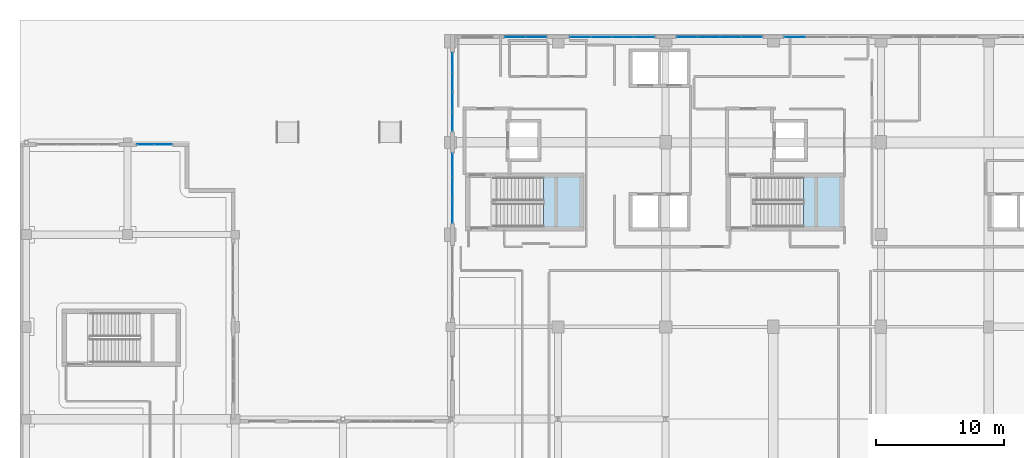
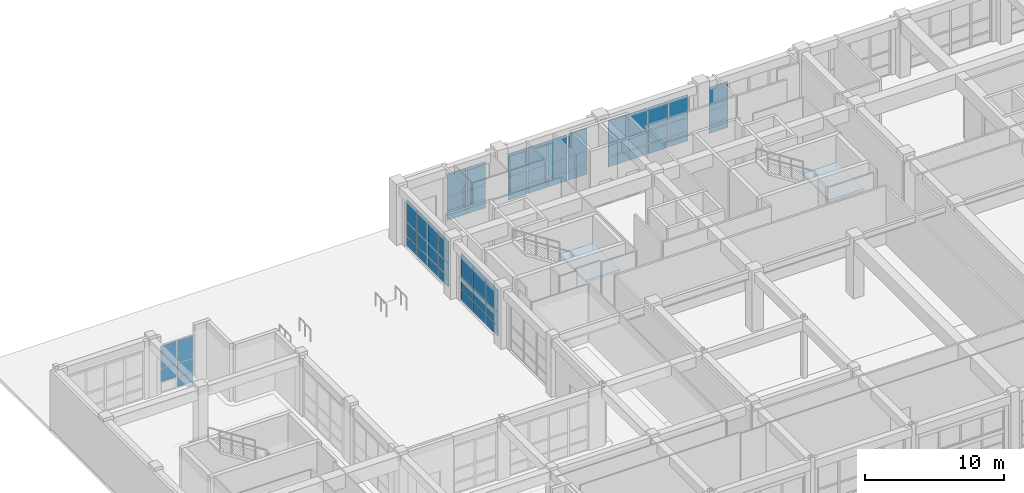
# One storey, part 115 of 148: 59 plates, 2 slabs, 9 elements without a shape of their own.
"""IFC4 building model written with IfcOpenShell, lengths in metres."""

from ifc_helpers import new_model, si_unit, direction, frame, origin, origin_2d, place, context, subcontext, project, spatial, polyline, rectangle, outline, extrude, material, layer, layer_set, type_object, element, aggregate, save


model = new_model("IFC4")

# Units and contexts
model_context = context("Model", 3, precision=1e-05, world=origin(), true_north=direction((0.0, 1.0)))
body_context = subcontext(model_context, "Body", "Model", "MODEL_VIEW")
ifc_project = project(units=[si_unit("LENGTHUNIT", "METRE"), si_unit("AREAUNIT", "SQUARE_METRE"), si_unit("VOLUMEUNIT", "CUBIC_METRE"), si_unit("PLANEANGLEUNIT", "RADIAN"), si_unit("MASSUNIT", "GRAM", prefix="KILO")], contexts=[model_context])

# Site, building, storey
site_placement = place(None, origin())
site = spatial("IfcSite", under=ifc_project, at=site_placement, CompositionType="ELEMENT")
building_placement = place(site_placement, origin())
building = spatial("IfcBuilding", under=site, at=building_placement, Name="Quendrovan Civic Courthouse", CompositionType="ELEMENT")
storey_placement = place(building_placement, origin())
storey = spatial("IfcBuildingStorey", under=building, at=storey_placement, Name="L01", CompositionType="ELEMENT", Elevation=0.0)

# Curtain wall, plates
ifc_material_1 = material(Name="Bronze anodised aluminium and low-E glass", Category="aluminium")
ifc_layer_1 = layer(ifc_material_1, 0.179931640625, Name="Bronze anodised aluminium and low-E glass")
ifc_layer_set_1 = layer_set([ifc_layer_1], Name="Bronze anodised aluminium and low-E glass")
curtain_wall_type_1 = type_object("IfcCurtainWallType", Name="CW-U62x42", PredefinedType="USERDEFINED", material=ifc_layer_set_1)
curtain_wall_1_placement = place(storey_placement, origin())
curtain_wall_1 = element("IfcCurtainWall", 1, at=curtain_wall_1_placement, inside=storey, type_object=curtain_wall_type_1, Name="L01 Unitised Hurricane Curtain Wall CW-024", ObjectType="UNITISED CURTAIN WALL", PredefinedType="USERDEFINED")
ifc_material_2 = material(Name="Laminated hurricane-impact low-E glass", Category="glass")
ifc_layer_2 = layer(ifc_material_2, 0.028076171875, Name="Laminated hurricane-impact low-E glass")
ifc_layer_set_2 = layer_set([ifc_layer_2], Name="Laminated hurricane-impact low-E glass")
plate_type_1 = type_object("IfcPlateType", Name="CW-PNL-1", PredefinedType="CURTAIN_PANEL", material=ifc_layer_set_2)
plate_1_placement = place(storey_placement, frame((33.764892578125, 103.617431640625, 0.06982421875), z_axis=(0.0, 0.0, 1.0), x_axis=(0.0, 1.0, 0.0)))
plate_1 = element("IfcPlate", 2, at=plate_1_placement, type_object=plate_type_1, Name="CW-024 panel 1.1", PredefinedType="CURTAIN_PANEL", context=body_context, shape_type="SweptSolid", body=[
    extrude(rectangle(XDim=1.445068359375, YDim=0.028076171875, at=origin_2d()), origin(), (0.0, 0.0, 1.0), 0.844970703125),
])
plate_2_placement = place(storey_placement, frame((33.764892578125, 103.617431640625, 0.985107421875), z_axis=(0.0, 0.0, 1.0), x_axis=(0.0, 1.0, 0.0)))
plate_2 = element("IfcPlate", 3, at=plate_2_placement, type_object=plate_type_1, Name="CW-024 panel 1.2", PredefinedType="CURTAIN_PANEL", context=body_context, shape_type="SweptSolid", body=[
    extrude(rectangle(XDim=1.445068359375, YDim=0.028076171875, at=origin_2d()), origin(), (0.0, 0.0, 1.0), 1.1298828125),
])
plate_3_placement = place(storey_placement, frame((33.764892578125, 103.617431640625, 2.18505859375), z_axis=(0.0, 0.0, 1.0), x_axis=(0.0, 1.0, 0.0)))
plate_3 = element("IfcPlate", 4, at=plate_3_placement, type_object=plate_type_1, Name="CW-024 panel 1.3", PredefinedType="CURTAIN_PANEL", context=body_context, shape_type="SweptSolid", body=[
    extrude(rectangle(XDim=1.445068359375, YDim=0.028076171875, at=origin_2d()), origin(), (0.0, 0.0, 1.0), 1.945068359375),
])
plate_4_placement = place(storey_placement, frame((33.764892578125, 105.14990234375, 0.06982421875), z_axis=(0.0, 0.0, 1.0), x_axis=(0.0, 1.0, 0.0)))
plate_4 = element("IfcPlate", 5, at=plate_4_placement, type_object=plate_type_1, Name="CW-024 panel 2.1", PredefinedType="CURTAIN_PANEL", context=body_context, shape_type="SweptSolid", body=[
    extrude(rectangle(XDim=1.47998046875, YDim=0.028076171875, at=origin_2d()), origin(), (0.0, 0.0, 1.0), 0.844970703125),
])
plate_5_placement = place(storey_placement, frame((33.764892578125, 105.14990234375, 0.985107421875), z_axis=(0.0, 0.0, 1.0), x_axis=(0.0, 1.0, 0.0)))
plate_5 = element("IfcPlate", 6, at=plate_5_placement, type_object=plate_type_1, Name="CW-024 panel 2.2", PredefinedType="CURTAIN_PANEL", context=body_context, shape_type="SweptSolid", body=[
    extrude(rectangle(XDim=1.47998046875, YDim=0.028076171875, at=origin_2d()), origin(), (0.0, 0.0, 1.0), 1.1298828125),
])
plate_6_placement = place(storey_placement, frame((33.764892578125, 105.14990234375, 2.18505859375), z_axis=(0.0, 0.0, 1.0), x_axis=(0.0, 1.0, 0.0)))
plate_6 = element("IfcPlate", 7, at=plate_6_placement, type_object=plate_type_1, Name="CW-024 panel 2.3", PredefinedType="CURTAIN_PANEL", context=body_context, shape_type="SweptSolid", body=[
    extrude(rectangle(XDim=1.47998046875, YDim=0.028076171875, at=origin_2d()), origin(), (0.0, 0.0, 1.0), 1.945068359375),
])
plate_7_placement = place(storey_placement, frame((33.764892578125, 106.699951171875, 0.06982421875), z_axis=(0.0, 0.0, 1.0), x_axis=(0.0, 1.0, 0.0)))
plate_7 = element("IfcPlate", 8, at=plate_7_placement, type_object=plate_type_1, Name="CW-024 panel 3.1", PredefinedType="CURTAIN_PANEL", context=body_context, shape_type="SweptSolid", body=[
    extrude(rectangle(XDim=1.47998046875, YDim=0.028076171875, at=origin_2d()), origin(), (0.0, 0.0, 1.0), 0.844970703125),
])
plate_8_placement = place(storey_placement, frame((33.764892578125, 106.699951171875, 0.985107421875), z_axis=(0.0, 0.0, 1.0), x_axis=(0.0, 1.0, 0.0)))
plate_8 = element("IfcPlate", 9, at=plate_8_placement, type_object=plate_type_1, Name="CW-024 panel 3.2", PredefinedType="CURTAIN_PANEL", context=body_context, shape_type="SweptSolid", body=[
    extrude(rectangle(XDim=1.47998046875, YDim=0.028076171875, at=origin_2d()), origin(), (0.0, 0.0, 1.0), 1.1298828125),
])
plate_9_placement = place(storey_placement, frame((33.764892578125, 106.699951171875, 2.18505859375), z_axis=(0.0, 0.0, 1.0), x_axis=(0.0, 1.0, 0.0)))
plate_9 = element("IfcPlate", 10, at=plate_9_placement, type_object=plate_type_1, Name="CW-024 panel 3.3", PredefinedType="CURTAIN_PANEL", context=body_context, shape_type="SweptSolid", body=[
    extrude(rectangle(XDim=1.47998046875, YDim=0.028076171875, at=origin_2d()), origin(), (0.0, 0.0, 1.0), 1.945068359375),
])
plate_10_placement = place(storey_placement, frame((33.764892578125, 108.232421875, 0.06982421875), z_axis=(0.0, 0.0, 1.0), x_axis=(0.0, 1.0, 0.0)))
plate_10 = element("IfcPlate", 11, at=plate_10_placement, type_object=plate_type_1, Name="CW-024 panel 4.1", PredefinedType="CURTAIN_PANEL", context=body_context, shape_type="SweptSolid", body=[
    extrude(rectangle(XDim=1.445068359375, YDim=0.028076171875, at=origin_2d()), origin(), (0.0, 0.0, 1.0), 0.844970703125),
])
plate_11_placement = place(storey_placement, frame((33.764892578125, 108.232421875, 0.985107421875), z_axis=(0.0, 0.0, 1.0), x_axis=(0.0, 1.0, 0.0)))
plate_11 = element("IfcPlate", 12, at=plate_11_placement, type_object=plate_type_1, Name="CW-024 panel 4.2", PredefinedType="CURTAIN_PANEL", context=body_context, shape_type="SweptSolid", body=[
    extrude(rectangle(XDim=1.445068359375, YDim=0.028076171875, at=origin_2d()), origin(), (0.0, 0.0, 1.0), 1.1298828125),
])
plate_12_placement = place(storey_placement, frame((33.764892578125, 108.232421875, 2.18505859375), z_axis=(0.0, 0.0, 1.0), x_axis=(0.0, 1.0, 0.0)))
plate_12 = element("IfcPlate", 13, at=plate_12_placement, type_object=plate_type_1, Name="CW-024 panel 4.3", PredefinedType="CURTAIN_PANEL", context=body_context, shape_type="SweptSolid", body=[
    extrude(rectangle(XDim=1.445068359375, YDim=0.028076171875, at=origin_2d()), origin(), (0.0, 0.0, 1.0), 1.945068359375),
])
aggregate(curtain_wall_1, [plate_1, plate_2, plate_3, plate_4, plate_5, plate_6, plate_7, plate_8, plate_9, plate_10, plate_11, plate_12])

ifc_layer_3 = layer(ifc_material_1, 0.179931640625, Name="Bronze anodised aluminium and low-E glass")
ifc_layer_set_3 = layer_set([ifc_layer_3], Name="Bronze anodised aluminium and low-E glass")
curtain_wall_type_2 = type_object("IfcCurtainWallType", Name="CW-U68x42", PredefinedType="USERDEFINED", material=ifc_layer_set_3)
curtain_wall_2_placement = place(storey_placement, origin())
curtain_wall_2 = element("IfcCurtainWall", 14, at=curtain_wall_2_placement, inside=storey, type_object=curtain_wall_type_2, Name="L01 Unitised Hurricane Curtain Wall CW-028", ObjectType="UNITISED CURTAIN WALL", PredefinedType="USERDEFINED")
plate_13_placement = place(storey_placement, frame((60.486328125, 110.235107421875, 0.06982421875), z_axis=(0.0, 0.0, 1.0), x_axis=(1.0, 0.0, 0.0)))
plate_13 = element("IfcPlate", 15, at=plate_13_placement, type_object=plate_type_1, Name="CW-028 panel 1.1", PredefinedType="CURTAIN_PANEL", context=body_context, shape_type="SweptSolid", body=[
    extrude(rectangle(XDim=1.58251953125, YDim=0.028076171875, at=origin_2d()), origin(), (0.0, 0.0, 1.0), 0.844970703125),
])
plate_14_placement = place(storey_placement, frame((60.486328125, 110.235107421875, 0.985107421875), z_axis=(0.0, 0.0, 1.0), x_axis=(1.0, 0.0, 0.0)))
plate_14 = element("IfcPlate", 16, at=plate_14_placement, type_object=plate_type_1, Name="CW-028 panel 1.2", PredefinedType="CURTAIN_PANEL", context=body_context, shape_type="SweptSolid", body=[
    extrude(rectangle(XDim=1.58251953125, YDim=0.028076171875, at=origin_2d()), origin(), (0.0, 0.0, 1.0), 1.1298828125),
])
plate_15_placement = place(storey_placement, frame((60.486328125, 110.235107421875, 2.18505859375), z_axis=(0.0, 0.0, 1.0), x_axis=(1.0, 0.0, 0.0)))
plate_15 = element("IfcPlate", 17, at=plate_15_placement, type_object=plate_type_1, Name="CW-028 panel 1.3", PredefinedType="CURTAIN_PANEL", context=body_context, shape_type="SweptSolid", body=[
    extrude(rectangle(XDim=1.58251953125, YDim=0.028076171875, at=origin_2d()), origin(), (0.0, 0.0, 1.0), 1.945068359375),
])
aggregate(curtain_wall_2, [plate_13, plate_14, plate_15])

ifc_layer_4 = layer(ifc_material_1, 0.179931640625, Name="Bronze anodised aluminium and low-E glass")
ifc_layer_set_4 = layer_set([ifc_layer_4], Name="Bronze anodised aluminium and low-E glass")
curtain_wall_type_3 = type_object("IfcCurtainWallType", Name="CW-U28x42", PredefinedType="USERDEFINED", material=ifc_layer_set_4)
curtain_wall_3_placement = place(storey_placement, origin())
curtain_wall_3 = element("IfcCurtainWall", 18, at=curtain_wall_3_placement, inside=storey, type_object=curtain_wall_type_3, Name="L01 Unitised Hurricane Curtain Wall CW-017", ObjectType="UNITISED CURTAIN WALL", PredefinedType="USERDEFINED")
ifc_layer_5 = layer(ifc_material_2, 0.031982421875, Name="Laminated hurricane-impact low-E glass")
ifc_layer_set_5 = layer_set([ifc_layer_5], Name="Laminated hurricane-impact low-E glass")
plate_type_2 = type_object("IfcPlateType", Name="CW-PNL-2", PredefinedType="CURTAIN_PANEL", material=ifc_layer_set_5)
plate_16_placement = place(storey_placement, frame((9.797607421875, 101.8349609375, 0.982421875), z_axis=(0.0, 0.0, 1.0), x_axis=(1.0, 0.0, 0.0)))
plate_16 = element("IfcPlate", 19, at=plate_16_placement, type_object=plate_type_2, Name="CW-017 panel 1.2", PredefinedType="CURTAIN_PANEL", context=body_context, shape_type="SweptSolid", body=[
    extrude(rectangle(XDim=1.31494140625, YDim=0.031982421875, at=origin_2d()), origin(), (0.0, 0.0, 1.0), 1.135009765625),
])
plate_17_placement = place(storey_placement, frame((9.797607421875, 101.8349609375, 2.1826171875), z_axis=(0.0, 0.0, 1.0), x_axis=(1.0, 0.0, 0.0)))
plate_17 = element("IfcPlate", 20, at=plate_17_placement, type_object=plate_type_2, Name="CW-017 panel 1.3", PredefinedType="CURTAIN_PANEL", context=body_context, shape_type="SweptSolid", body=[
    extrude(rectangle(XDim=1.31494140625, YDim=0.031982421875, at=origin_2d()), origin(), (0.0, 0.0, 1.0), 1.952392578125),
])
plate_18_placement = place(storey_placement, frame((11.177490234375, 101.8349609375, 0.06494140625), z_axis=(0.0, 0.0, 1.0), x_axis=(1.0, 0.0, 0.0)))
plate_18 = element("IfcPlate", 21, at=plate_18_placement, type_object=plate_type_2, Name="CW-017 panel 2.1", PredefinedType="CURTAIN_PANEL", context=body_context, shape_type="SweptSolid", body=[
    extrude(rectangle(XDim=1.31494140625, YDim=0.031982421875, at=origin_2d()), origin(), (0.0, 0.0, 1.0), 0.8525390625),
])
plate_19_placement = place(storey_placement, frame((11.177490234375, 101.8349609375, 0.982421875), z_axis=(0.0, 0.0, 1.0), x_axis=(1.0, 0.0, 0.0)))
plate_19 = element("IfcPlate", 22, at=plate_19_placement, type_object=plate_type_2, Name="CW-017 panel 2.2", PredefinedType="CURTAIN_PANEL", context=body_context, shape_type="SweptSolid", body=[
    extrude(rectangle(XDim=1.31494140625, YDim=0.031982421875, at=origin_2d()), origin(), (0.0, 0.0, 1.0), 1.135009765625),
])
plate_20_placement = place(storey_placement, frame((11.177490234375, 101.8349609375, 2.1826171875), z_axis=(0.0, 0.0, 1.0), x_axis=(1.0, 0.0, 0.0)))
plate_20 = element("IfcPlate", 23, at=plate_20_placement, type_object=plate_type_2, Name="CW-017 panel 2.3", PredefinedType="CURTAIN_PANEL", context=body_context, shape_type="SweptSolid", body=[
    extrude(rectangle(XDim=1.31494140625, YDim=0.031982421875, at=origin_2d()), origin(), (0.0, 0.0, 1.0), 1.952392578125),
])
aggregate(curtain_wall_3, [plate_16, plate_17, plate_18, plate_19, plate_20])

ifc_layer_6 = layer(ifc_material_1, 0.179931640625, Name="Bronze anodised aluminium and low-E glass")
ifc_layer_set_6 = layer_set([ifc_layer_6], Name="Bronze anodised aluminium and low-E glass")
curtain_wall_type_4 = type_object("IfcCurtainWallType", Name="CW-U33x42", PredefinedType="USERDEFINED", material=ifc_layer_set_6)
curtain_wall_4_placement = place(storey_placement, origin())
curtain_wall_4 = element("IfcCurtainWall", 24, at=curtain_wall_4_placement, inside=storey, type_object=curtain_wall_type_4, Name="L01 Unitised Hurricane Curtain Wall CW-025", ObjectType="UNITISED CURTAIN WALL", PredefinedType="USERDEFINED")
plate_21_placement = place(storey_placement, frame((38.6474609375, 110.235107421875, 0.06494140625), z_axis=(0.0, 0.0, 1.0), x_axis=(1.0, 0.0, 0.0)))
plate_21 = element("IfcPlate", 25, at=plate_21_placement, type_object=plate_type_2, Name="CW-025 panel 1.1", PredefinedType="CURTAIN_PANEL", context=body_context, shape_type="SweptSolid", body=[
    extrude(rectangle(XDim=1.56494140625, YDim=0.031982421875, at=origin_2d()), origin(), (0.0, 0.0, 1.0), 0.8525390625),
])
plate_22_placement = place(storey_placement, frame((38.6474609375, 110.235107421875, 0.982421875), z_axis=(0.0, 0.0, 1.0), x_axis=(1.0, 0.0, 0.0)))
plate_22 = element("IfcPlate", 26, at=plate_22_placement, type_object=plate_type_2, Name="CW-025 panel 1.2", PredefinedType="CURTAIN_PANEL", context=body_context, shape_type="SweptSolid", body=[
    extrude(rectangle(XDim=1.56494140625, YDim=0.031982421875, at=origin_2d()), origin(), (0.0, 0.0, 1.0), 1.135009765625),
])
plate_23_placement = place(storey_placement, frame((38.6474609375, 110.235107421875, 2.1826171875), z_axis=(0.0, 0.0, 1.0), x_axis=(1.0, 0.0, 0.0)))
plate_23 = element("IfcPlate", 27, at=plate_23_placement, type_object=plate_type_2, Name="CW-025 panel 1.3", PredefinedType="CURTAIN_PANEL", context=body_context, shape_type="SweptSolid", body=[
    extrude(rectangle(XDim=1.56494140625, YDim=0.031982421875, at=origin_2d()), origin(), (0.0, 0.0, 1.0), 1.952392578125),
])
plate_24_placement = place(storey_placement, frame((40.277587890625, 110.235107421875, 0.06494140625), z_axis=(0.0, 0.0, 1.0), x_axis=(1.0, 0.0, 0.0)))
plate_24 = element("IfcPlate", 28, at=plate_24_placement, type_object=plate_type_2, Name="CW-025 panel 2.1", PredefinedType="CURTAIN_PANEL", context=body_context, shape_type="SweptSolid", body=[
    extrude(rectangle(XDim=1.56494140625, YDim=0.031982421875, at=origin_2d()), origin(), (0.0, 0.0, 1.0), 0.8525390625),
])
plate_25_placement = place(storey_placement, frame((40.277587890625, 110.235107421875, 0.982421875), z_axis=(0.0, 0.0, 1.0), x_axis=(1.0, 0.0, 0.0)))
plate_25 = element("IfcPlate", 29, at=plate_25_placement, type_object=plate_type_2, Name="CW-025 panel 2.2", PredefinedType="CURTAIN_PANEL", context=body_context, shape_type="SweptSolid", body=[
    extrude(rectangle(XDim=1.56494140625, YDim=0.031982421875, at=origin_2d()), origin(), (0.0, 0.0, 1.0), 1.135009765625),
])
plate_26_placement = place(storey_placement, frame((40.277587890625, 110.235107421875, 2.1826171875), z_axis=(0.0, 0.0, 1.0), x_axis=(1.0, 0.0, 0.0)))
plate_26 = element("IfcPlate", 30, at=plate_26_placement, type_object=plate_type_2, Name="CW-025 panel 2.3", PredefinedType="CURTAIN_PANEL", context=body_context, shape_type="SweptSolid", body=[
    extrude(rectangle(XDim=1.56494140625, YDim=0.031982421875, at=origin_2d()), origin(), (0.0, 0.0, 1.0), 1.952392578125),
])
aggregate(curtain_wall_4, [plate_21, plate_22, plate_23, plate_24, plate_25, plate_26])

ifc_layer_7 = layer(ifc_material_1, 0.179931640625, Name="Bronze anodised aluminium and low-E glass")
ifc_layer_set_7 = layer_set([ifc_layer_7], Name="Bronze anodised aluminium and low-E glass")
curtain_wall_type_5 = type_object("IfcCurtainWallType", Name="CW-U67x42", PredefinedType="USERDEFINED", material=ifc_layer_set_7)
curtain_wall_5_placement = place(storey_placement, origin())
curtain_wall_5 = element("IfcCurtainWall", 31, at=curtain_wall_5_placement, inside=storey, type_object=curtain_wall_type_5, Name="L01 Unitised Hurricane Curtain Wall CW-026", ObjectType="UNITISED CURTAIN WALL", PredefinedType="USERDEFINED")
ifc_layer_8 = layer(ifc_material_2, 0.035888671875, Name="Laminated hurricane-impact low-E glass")
ifc_layer_set_8 = layer_set([ifc_layer_8], Name="Laminated hurricane-impact low-E glass")
plate_type_3 = type_object("IfcPlateType", Name="CW-PNL-3", PredefinedType="CURTAIN_PANEL", material=ifc_layer_set_8)
plate_27_placement = place(storey_placement, frame((43.72998046875, 110.235107421875, 0.06982421875), z_axis=(0.0, 0.0, 1.0), x_axis=(1.0, 0.0, 0.0)))
plate_27 = element("IfcPlate", 32, at=plate_27_placement, type_object=plate_type_3, Name="CW-026 panel 1.1", PredefinedType="CURTAIN_PANEL", context=body_context, shape_type="SweptSolid", body=[
    extrude(rectangle(XDim=1.570068359375, YDim=0.035888671875, at=origin_2d()), origin(), (0.0, 0.0, 1.0), 0.844970703125),
])
plate_28_placement = place(storey_placement, frame((43.72998046875, 110.235107421875, 0.985107421875), z_axis=(0.0, 0.0, 1.0), x_axis=(1.0, 0.0, 0.0)))
plate_28 = element("IfcPlate", 33, at=plate_28_placement, type_object=plate_type_3, Name="CW-026 panel 1.2", PredefinedType="CURTAIN_PANEL", context=body_context, shape_type="SweptSolid", body=[
    extrude(rectangle(XDim=1.570068359375, YDim=0.035888671875, at=origin_2d()), origin(), (0.0, 0.0, 1.0), 1.1298828125),
])
plate_29_placement = place(storey_placement, frame((43.72998046875, 110.235107421875, 2.18505859375), z_axis=(0.0, 0.0, 1.0), x_axis=(1.0, 0.0, 0.0)))
plate_29 = element("IfcPlate", 34, at=plate_29_placement, type_object=plate_type_3, Name="CW-026 panel 1.3", PredefinedType="CURTAIN_PANEL", context=body_context, shape_type="SweptSolid", body=[
    extrude(rectangle(XDim=1.570068359375, YDim=0.035888671875, at=origin_2d()), origin(), (0.0, 0.0, 1.0), 1.945068359375),
])
plate_30_placement = place(storey_placement, frame((45.387451171875, 110.235107421875, 0.06982421875), z_axis=(0.0, 0.0, 1.0), x_axis=(1.0, 0.0, 0.0)))
plate_30 = element("IfcPlate", 35, at=plate_30_placement, type_object=plate_type_3, Name="CW-026 panel 2.1", PredefinedType="CURTAIN_PANEL", context=body_context, shape_type="SweptSolid", body=[
    extrude(rectangle(XDim=1.60498046875, YDim=0.035888671875, at=origin_2d()), origin(), (0.0, 0.0, 1.0), 0.844970703125),
])
plate_31_placement = place(storey_placement, frame((45.387451171875, 110.235107421875, 0.985107421875), z_axis=(0.0, 0.0, 1.0), x_axis=(1.0, 0.0, 0.0)))
plate_31 = element("IfcPlate", 36, at=plate_31_placement, type_object=plate_type_3, Name="CW-026 panel 2.2", PredefinedType="CURTAIN_PANEL", context=body_context, shape_type="SweptSolid", body=[
    extrude(rectangle(XDim=1.60498046875, YDim=0.035888671875, at=origin_2d()), origin(), (0.0, 0.0, 1.0), 1.1298828125),
])
plate_32_placement = place(storey_placement, frame((45.387451171875, 110.235107421875, 2.18505859375), z_axis=(0.0, 0.0, 1.0), x_axis=(1.0, 0.0, 0.0)))
plate_32 = element("IfcPlate", 37, at=plate_32_placement, type_object=plate_type_3, Name="CW-026 panel 2.3", PredefinedType="CURTAIN_PANEL", context=body_context, shape_type="SweptSolid", body=[
    extrude(rectangle(XDim=1.60498046875, YDim=0.035888671875, at=origin_2d()), origin(), (0.0, 0.0, 1.0), 1.945068359375),
])
plate_33_placement = place(storey_placement, frame((47.0625, 110.235107421875, 0.06982421875), z_axis=(0.0, 0.0, 1.0), x_axis=(1.0, 0.0, 0.0)))
plate_33 = element("IfcPlate", 38, at=plate_33_placement, type_object=plate_type_3, Name="CW-026 panel 3.1", PredefinedType="CURTAIN_PANEL", context=body_context, shape_type="SweptSolid", body=[
    extrude(rectangle(XDim=1.60498046875, YDim=0.035888671875, at=origin_2d()), origin(), (0.0, 0.0, 1.0), 0.844970703125),
])
plate_34_placement = place(storey_placement, frame((47.0625, 110.235107421875, 0.985107421875), z_axis=(0.0, 0.0, 1.0), x_axis=(1.0, 0.0, 0.0)))
plate_34 = element("IfcPlate", 39, at=plate_34_placement, type_object=plate_type_3, Name="CW-026 panel 3.2", PredefinedType="CURTAIN_PANEL", context=body_context, shape_type="SweptSolid", body=[
    extrude(rectangle(XDim=1.60498046875, YDim=0.035888671875, at=origin_2d()), origin(), (0.0, 0.0, 1.0), 1.1298828125),
])
plate_35_placement = place(storey_placement, frame((47.0625, 110.235107421875, 2.18505859375), z_axis=(0.0, 0.0, 1.0), x_axis=(1.0, 0.0, 0.0)))
plate_35 = element("IfcPlate", 40, at=plate_35_placement, type_object=plate_type_3, Name="CW-026 panel 3.3", PredefinedType="CURTAIN_PANEL", context=body_context, shape_type="SweptSolid", body=[
    extrude(rectangle(XDim=1.60498046875, YDim=0.035888671875, at=origin_2d()), origin(), (0.0, 0.0, 1.0), 1.945068359375),
])
plate_36_placement = place(storey_placement, frame((48.719970703125, 110.235107421875, 0.06982421875), z_axis=(0.0, 0.0, 1.0), x_axis=(1.0, 0.0, 0.0)))
plate_36 = element("IfcPlate", 41, at=plate_36_placement, type_object=plate_type_3, Name="CW-026 panel 4.1", PredefinedType="CURTAIN_PANEL", context=body_context, shape_type="SweptSolid", body=[
    extrude(rectangle(XDim=1.570068359375, YDim=0.035888671875, at=origin_2d()), origin(), (0.0, 0.0, 1.0), 0.844970703125),
])
plate_37_placement = place(storey_placement, frame((48.719970703125, 110.235107421875, 0.985107421875), z_axis=(0.0, 0.0, 1.0), x_axis=(1.0, 0.0, 0.0)))
plate_37 = element("IfcPlate", 42, at=plate_37_placement, type_object=plate_type_3, Name="CW-026 panel 4.2", PredefinedType="CURTAIN_PANEL", context=body_context, shape_type="SweptSolid", body=[
    extrude(rectangle(XDim=1.570068359375, YDim=0.035888671875, at=origin_2d()), origin(), (0.0, 0.0, 1.0), 1.1298828125),
])
plate_38_placement = place(storey_placement, frame((48.719970703125, 110.235107421875, 2.18505859375), z_axis=(0.0, 0.0, 1.0), x_axis=(1.0, 0.0, 0.0)))
plate_38 = element("IfcPlate", 43, at=plate_38_placement, type_object=plate_type_3, Name="CW-026 panel 4.3", PredefinedType="CURTAIN_PANEL", context=body_context, shape_type="SweptSolid", body=[
    extrude(rectangle(XDim=1.570068359375, YDim=0.035888671875, at=origin_2d()), origin(), (0.0, 0.0, 1.0), 1.945068359375),
])
aggregate(curtain_wall_5, [plate_27, plate_28, plate_29, plate_30, plate_31, plate_32, plate_33, plate_34, plate_35, plate_36, plate_37, plate_38])

ifc_layer_9 = layer(ifc_material_1, 0.179931640625, Name="Bronze anodised aluminium and low-E glass")
ifc_layer_set_9 = layer_set([ifc_layer_9], Name="Bronze anodised aluminium and low-E glass")
curtain_wall_type_6 = type_object("IfcCurtainWallType", Name="CW-U55x42", PredefinedType="USERDEFINED", material=ifc_layer_set_9)
curtain_wall_6_placement = place(storey_placement, origin())
curtain_wall_6 = element("IfcCurtainWall", 44, at=curtain_wall_6_placement, inside=storey, type_object=curtain_wall_type_6, Name="L01 Unitised Hurricane Curtain Wall CW-023", ObjectType="UNITISED CURTAIN WALL", PredefinedType="USERDEFINED")
ifc_layer_10 = layer(ifc_material_2, 0.0419921875, Name="Laminated hurricane-impact low-E glass")
ifc_layer_set_10 = layer_set([ifc_layer_10], Name="Laminated hurricane-impact low-E glass")
plate_type_4 = type_object("IfcPlateType", Name="CW-PNL-4", PredefinedType="CURTAIN_PANEL", material=ifc_layer_set_10)
plate_39_placement = place(storey_placement, frame((33.764892578125, 96.60791015625, 0.06494140625), z_axis=(0.0, 0.0, 1.0), x_axis=(0.0, 1.0, 0.0)))
plate_39 = element("IfcPlate", 45, at=plate_39_placement, type_object=plate_type_4, Name="CW-023 panel 1.1", PredefinedType="CURTAIN_PANEL", context=body_context, shape_type="SweptSolid", body=[
    extrude(rectangle(XDim=1.73583984375, YDim=0.0419921875, at=origin_2d()), origin(), (0.0, 0.0, 1.0), 0.8525390625),
])
plate_40_placement = place(storey_placement, frame((33.764892578125, 96.60791015625, 0.982421875), z_axis=(0.0, 0.0, 1.0), x_axis=(0.0, 1.0, 0.0)))
plate_40 = element("IfcPlate", 46, at=plate_40_placement, type_object=plate_type_4, Name="CW-023 panel 1.2", PredefinedType="CURTAIN_PANEL", context=body_context, shape_type="SweptSolid", body=[
    extrude(rectangle(XDim=1.73583984375, YDim=0.0419921875, at=origin_2d()), origin(), (0.0, 0.0, 1.0), 1.135009765625),
])
plate_41_placement = place(storey_placement, frame((33.764892578125, 96.60791015625, 2.1826171875), z_axis=(0.0, 0.0, 1.0), x_axis=(0.0, 1.0, 0.0)))
plate_41 = element("IfcPlate", 47, at=plate_41_placement, type_object=plate_type_4, Name="CW-023 panel 1.3", PredefinedType="CURTAIN_PANEL", context=body_context, shape_type="SweptSolid", body=[
    extrude(rectangle(XDim=1.73583984375, YDim=0.0419921875, at=origin_2d()), origin(), (0.0, 0.0, 1.0), 1.952392578125),
])
plate_42_placement = place(storey_placement, frame((33.764892578125, 98.425048828125, 0.06494140625), z_axis=(0.0, 0.0, 1.0), x_axis=(0.0, 1.0, 0.0)))
plate_42 = element("IfcPlate", 48, at=plate_42_placement, type_object=plate_type_4, Name="CW-023 panel 2.1", PredefinedType="CURTAIN_PANEL", context=body_context, shape_type="SweptSolid", body=[
    extrude(rectangle(XDim=1.768310546875, YDim=0.0419921875, at=origin_2d()), origin(), (0.0, 0.0, 1.0), 0.8525390625),
])
plate_43_placement = place(storey_placement, frame((33.764892578125, 98.425048828125, 0.982421875), z_axis=(0.0, 0.0, 1.0), x_axis=(0.0, 1.0, 0.0)))
plate_43 = element("IfcPlate", 49, at=plate_43_placement, type_object=plate_type_4, Name="CW-023 panel 2.2", PredefinedType="CURTAIN_PANEL", context=body_context, shape_type="SweptSolid", body=[
    extrude(rectangle(XDim=1.768310546875, YDim=0.0419921875, at=origin_2d()), origin(), (0.0, 0.0, 1.0), 1.135009765625),
])
plate_44_placement = place(storey_placement, frame((33.764892578125, 98.425048828125, 2.1826171875), z_axis=(0.0, 0.0, 1.0), x_axis=(0.0, 1.0, 0.0)))
plate_44 = element("IfcPlate", 50, at=plate_44_placement, type_object=plate_type_4, Name="CW-023 panel 2.3", PredefinedType="CURTAIN_PANEL", context=body_context, shape_type="SweptSolid", body=[
    extrude(rectangle(XDim=1.768310546875, YDim=0.0419921875, at=origin_2d()), origin(), (0.0, 0.0, 1.0), 1.952392578125),
])
plate_45_placement = place(storey_placement, frame((33.764892578125, 100.2421875, 0.06494140625), z_axis=(0.0, 0.0, 1.0), x_axis=(0.0, 1.0, 0.0)))
plate_45 = element("IfcPlate", 51, at=plate_45_placement, type_object=plate_type_4, Name="CW-023 panel 3.1", PredefinedType="CURTAIN_PANEL", context=body_context, shape_type="SweptSolid", body=[
    extrude(rectangle(XDim=1.73583984375, YDim=0.0419921875, at=origin_2d()), origin(), (0.0, 0.0, 1.0), 0.8525390625),
])
plate_46_placement = place(storey_placement, frame((33.764892578125, 100.2421875, 0.982421875), z_axis=(0.0, 0.0, 1.0), x_axis=(0.0, 1.0, 0.0)))
plate_46 = element("IfcPlate", 52, at=plate_46_placement, type_object=plate_type_4, Name="CW-023 panel 3.2", PredefinedType="CURTAIN_PANEL", context=body_context, shape_type="SweptSolid", body=[
    extrude(rectangle(XDim=1.73583984375, YDim=0.0419921875, at=origin_2d()), origin(), (0.0, 0.0, 1.0), 1.135009765625),
])
plate_47_placement = place(storey_placement, frame((33.764892578125, 100.2421875, 2.1826171875), z_axis=(0.0, 0.0, 1.0), x_axis=(0.0, 1.0, 0.0)))
plate_47 = element("IfcPlate", 53, at=plate_47_placement, type_object=plate_type_4, Name="CW-023 panel 3.3", PredefinedType="CURTAIN_PANEL", context=body_context, shape_type="SweptSolid", body=[
    extrude(rectangle(XDim=1.73583984375, YDim=0.0419921875, at=origin_2d()), origin(), (0.0, 0.0, 1.0), 1.952392578125),
])
aggregate(curtain_wall_6, [plate_39, plate_40, plate_41, plate_42, plate_43, plate_44, plate_45, plate_46, plate_47])

curtain_wall_7_placement = place(storey_placement, origin())
curtain_wall_7 = element("IfcCurtainWall", 54, at=curtain_wall_7_placement, inside=storey, type_object=curtain_wall_type_2, Name="L01 Unitised Hurricane Curtain Wall CW-027", ObjectType="UNITISED CURTAIN WALL", PredefinedType="USERDEFINED")
plate_48_placement = place(storey_placement, frame((52.0849609375, 110.235107421875, 0.06494140625), z_axis=(0.0, 0.0, 1.0), x_axis=(1.0, 0.0, 0.0)))
plate_48 = element("IfcPlate", 55, at=plate_48_placement, type_object=plate_type_4, Name="CW-027 panel 1.1", PredefinedType="CURTAIN_PANEL", context=body_context, shape_type="SweptSolid", body=[
    extrude(rectangle(XDim=1.590087890625, YDim=0.0419921875, at=origin_2d()), origin(), (0.0, 0.0, 1.0), 0.8525390625),
])
plate_49_placement = place(storey_placement, frame((52.0849609375, 110.235107421875, 0.982421875), z_axis=(0.0, 0.0, 1.0), x_axis=(1.0, 0.0, 0.0)))
plate_49 = element("IfcPlate", 56, at=plate_49_placement, type_object=plate_type_4, Name="CW-027 panel 1.2", PredefinedType="CURTAIN_PANEL", context=body_context, shape_type="SweptSolid", body=[
    extrude(rectangle(XDim=1.590087890625, YDim=0.0419921875, at=origin_2d()), origin(), (0.0, 0.0, 1.0), 1.135009765625),
])
plate_50_placement = place(storey_placement, frame((52.0849609375, 110.235107421875, 2.1826171875), z_axis=(0.0, 0.0, 1.0), x_axis=(1.0, 0.0, 0.0)))
plate_50 = element("IfcPlate", 57, at=plate_50_placement, type_object=plate_type_4, Name="CW-027 panel 1.3", PredefinedType="CURTAIN_PANEL", context=body_context, shape_type="SweptSolid", body=[
    extrude(rectangle(XDim=1.590087890625, YDim=0.0419921875, at=origin_2d()), origin(), (0.0, 0.0, 1.0), 1.952392578125),
])
plate_51_placement = place(storey_placement, frame((53.75634765625, 110.235107421875, 0.06494140625), z_axis=(0.0, 0.0, 1.0), x_axis=(1.0, 0.0, 0.0)))
plate_51 = element("IfcPlate", 58, at=plate_51_placement, type_object=plate_type_4, Name="CW-027 panel 2.1", PredefinedType="CURTAIN_PANEL", context=body_context, shape_type="SweptSolid", body=[
    extrude(rectangle(XDim=1.62255859375, YDim=0.0419921875, at=origin_2d()), origin(), (0.0, 0.0, 1.0), 0.8525390625),
])
plate_52_placement = place(storey_placement, frame((53.75634765625, 110.235107421875, 0.982421875), z_axis=(0.0, 0.0, 1.0), x_axis=(1.0, 0.0, 0.0)))
plate_52 = element("IfcPlate", 59, at=plate_52_placement, type_object=plate_type_4, Name="CW-027 panel 2.2", PredefinedType="CURTAIN_PANEL", context=body_context, shape_type="SweptSolid", body=[
    extrude(rectangle(XDim=1.62255859375, YDim=0.0419921875, at=origin_2d()), origin(), (0.0, 0.0, 1.0), 1.135009765625),
])
plate_53_placement = place(storey_placement, frame((53.75634765625, 110.235107421875, 2.1826171875), z_axis=(0.0, 0.0, 1.0), x_axis=(1.0, 0.0, 0.0)))
plate_53 = element("IfcPlate", 60, at=plate_53_placement, type_object=plate_type_4, Name="CW-027 panel 2.3", PredefinedType="CURTAIN_PANEL", context=body_context, shape_type="SweptSolid", body=[
    extrude(rectangle(XDim=1.62255859375, YDim=0.0419921875, at=origin_2d()), origin(), (0.0, 0.0, 1.0), 1.952392578125),
])
plate_54_placement = place(storey_placement, frame((55.44384765625, 110.235107421875, 0.06494140625), z_axis=(0.0, 0.0, 1.0), x_axis=(1.0, 0.0, 0.0)))
plate_54 = element("IfcPlate", 61, at=plate_54_placement, type_object=plate_type_4, Name="CW-027 panel 3.1", PredefinedType="CURTAIN_PANEL", context=body_context, shape_type="SweptSolid", body=[
    extrude(rectangle(XDim=1.62255859375, YDim=0.0419921875, at=origin_2d()), origin(), (0.0, 0.0, 1.0), 0.8525390625),
])
plate_55_placement = place(storey_placement, frame((55.44384765625, 110.235107421875, 0.982421875), z_axis=(0.0, 0.0, 1.0), x_axis=(1.0, 0.0, 0.0)))
plate_55 = element("IfcPlate", 62, at=plate_55_placement, type_object=plate_type_4, Name="CW-027 panel 3.2", PredefinedType="CURTAIN_PANEL", context=body_context, shape_type="SweptSolid", body=[
    extrude(rectangle(XDim=1.62255859375, YDim=0.0419921875, at=origin_2d()), origin(), (0.0, 0.0, 1.0), 1.135009765625),
])
plate_56_placement = place(storey_placement, frame((55.44384765625, 110.235107421875, 2.1826171875), z_axis=(0.0, 0.0, 1.0), x_axis=(1.0, 0.0, 0.0)))
plate_56 = element("IfcPlate", 63, at=plate_56_placement, type_object=plate_type_4, Name="CW-027 panel 3.3", PredefinedType="CURTAIN_PANEL", context=body_context, shape_type="SweptSolid", body=[
    extrude(rectangle(XDim=1.62255859375, YDim=0.0419921875, at=origin_2d()), origin(), (0.0, 0.0, 1.0), 1.952392578125),
])
plate_57_placement = place(storey_placement, frame((57.114990234375, 110.235107421875, 0.06494140625), z_axis=(0.0, 0.0, 1.0), x_axis=(1.0, 0.0, 0.0)))
plate_57 = element("IfcPlate", 64, at=plate_57_placement, type_object=plate_type_4, Name="CW-027 panel 4.1", PredefinedType="CURTAIN_PANEL", context=body_context, shape_type="SweptSolid", body=[
    extrude(rectangle(XDim=1.590087890625, YDim=0.0419921875, at=origin_2d()), origin(), (0.0, 0.0, 1.0), 0.8525390625),
])
plate_58_placement = place(storey_placement, frame((57.114990234375, 110.235107421875, 0.982421875), z_axis=(0.0, 0.0, 1.0), x_axis=(1.0, 0.0, 0.0)))
plate_58 = element("IfcPlate", 65, at=plate_58_placement, type_object=plate_type_4, Name="CW-027 panel 4.2", PredefinedType="CURTAIN_PANEL", context=body_context, shape_type="SweptSolid", body=[
    extrude(rectangle(XDim=1.590087890625, YDim=0.0419921875, at=origin_2d()), origin(), (0.0, 0.0, 1.0), 1.135009765625),
])
plate_59_placement = place(storey_placement, frame((57.114990234375, 110.235107421875, 2.1826171875), z_axis=(0.0, 0.0, 1.0), x_axis=(1.0, 0.0, 0.0)))
plate_59 = element("IfcPlate", 66, at=plate_59_placement, type_object=plate_type_4, Name="CW-027 panel 4.3", PredefinedType="CURTAIN_PANEL", context=body_context, shape_type="SweptSolid", body=[
    extrude(rectangle(XDim=1.590087890625, YDim=0.0419921875, at=origin_2d()), origin(), (0.0, 0.0, 1.0), 1.952392578125),
])
aggregate(curtain_wall_7, [plate_48, plate_49, plate_50, plate_51, plate_52, plate_53, plate_54, plate_55, plate_56, plate_57, plate_58, plate_59])

# Stair, slab
ifc_material_3 = material(Name="Concrete C40/50", Category="concrete")
stair_type = type_object("IfcStairType", Name="STR-CORE-5400", PredefinedType="HALF_TURN_STAIR", material=ifc_material_3)
stair_1_placement = place(storey_placement, origin())
stair_1 = element("IfcStair", 67, at=stair_1_placement, inside=storey, type_object=stair_type, Name="L01 West Judicial and Public Exit Stair 1", PredefinedType="HALF_TURN_STAIR")
ifc_layer_11 = layer(ifc_material_3, 0.199951171875, Name="Concrete C40/50")
ifc_layer_set_11 = layer_set([ifc_layer_11], Name="Concrete C40/50")
slab_type = type_object("IfcSlabType", Name="SLB-STAIR-LND200", PredefinedType="LANDING", material=ifc_layer_set_11)
slab_1_placement = place(storey_placement, frame((0.0, 0.0, 2.5)))
slab_1 = element("IfcSlab", 68, at=slab_1_placement, type_object=slab_type, Name="ST1 landing 1", PredefinedType="LANDING", context=body_context, shape_type="SweptSolid", body=[
    extrude(outline(polyline([(40.8701171875, 95.39990234375), (43.699951171875, 95.39990234375), (43.699951171875, 99.280029296875), (40.8701171875, 99.280029296875), (40.8701171875, 95.39990234375)])), origin(), (0.0, 0.0, 1.0), 0.199951171875),
])
aggregate(stair_1, [slab_1])

stair_2_placement = place(storey_placement, origin())
stair_2 = element("IfcStair", 69, at=stair_2_placement, inside=storey, type_object=stair_type, Name="L01 Central Judicial and Firefighting Exit Stair 2", PredefinedType="HALF_TURN_STAIR")
slab_2_placement = place(storey_placement, frame((0.0, 0.0, 2.5)))
slab_2 = element("IfcSlab", 70, at=slab_2_placement, type_object=slab_type, Name="ST2 landing 1", PredefinedType="LANDING", context=body_context, shape_type="SweptSolid", body=[
    extrude(outline(polyline([(61.169921875, 95.39990234375), (64.0, 95.39990234375), (64.0, 99.280029296875), (61.169921875, 99.280029296875), (61.169921875, 95.39990234375)])), origin(), (0.0, 0.0, 1.0), 0.199951171875),
])
aggregate(stair_2, [slab_2])

save(model, "model.ifc")
